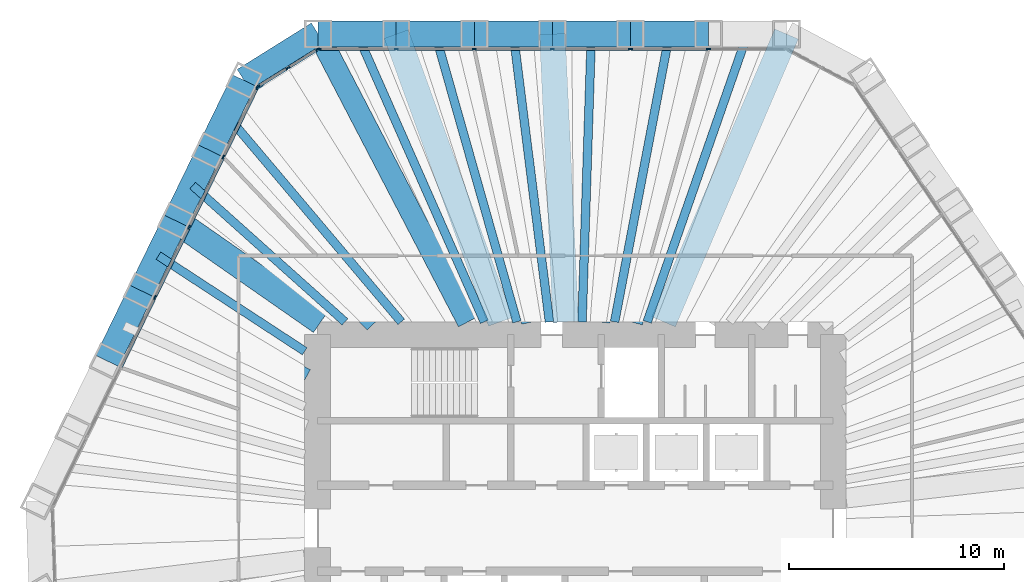
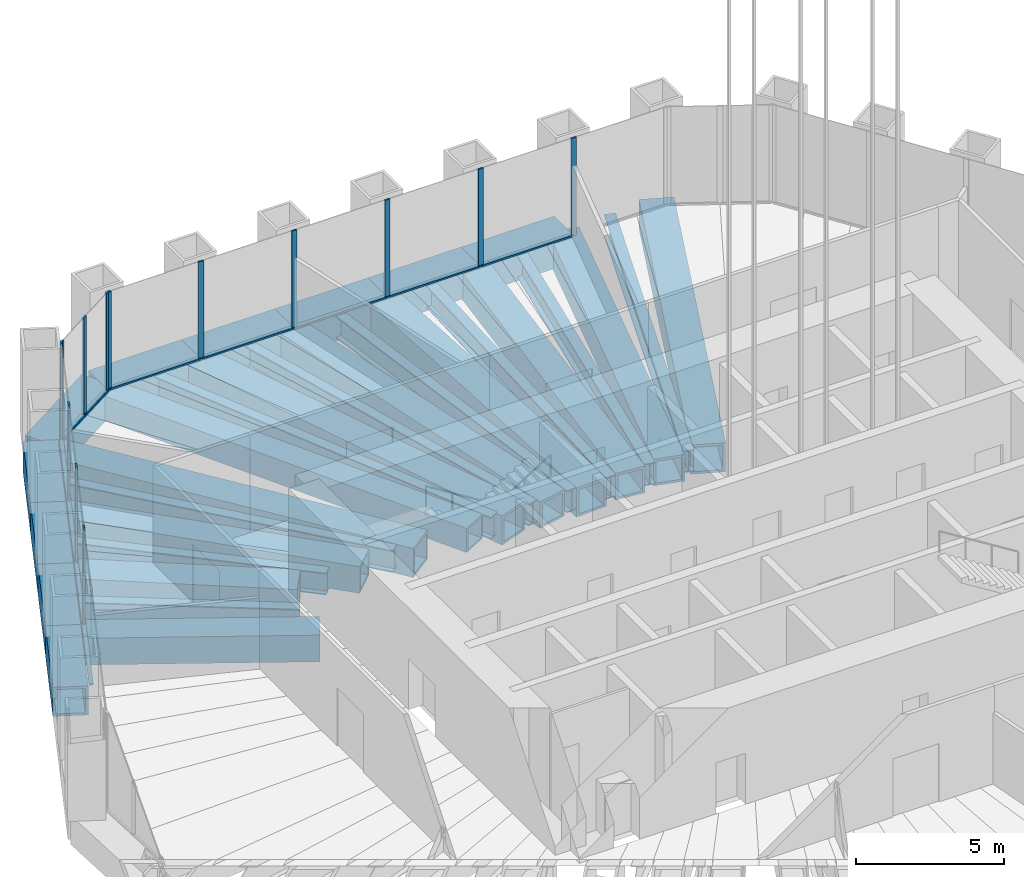
# One storey, part 6 of 20: 34 members, 20 beams, 3 elements without a shape of their own.
"""IFC4 building model written with IfcOpenShell, lengths in metres."""

from ifc_helpers import new_model, si_unit, direction, frame, origin, origin_2d, place, context, subcontext, project, spatial, rectangle, hollow_rectangle, i_section, extrude, material, material_profile, profile_set, type_object, element, aggregate, save


model = new_model("IFC4")

# Units and contexts
model_context = context("Model", 3, precision=1e-05, world=origin(), true_north=direction((0.0, 1.0)))
body_context = subcontext(model_context, "Body", "Model", "MODEL_VIEW")
ifc_project = project(units=[si_unit("LENGTHUNIT", "METRE"), si_unit("AREAUNIT", "SQUARE_METRE"), si_unit("VOLUMEUNIT", "CUBIC_METRE"), si_unit("PLANEANGLEUNIT", "RADIAN"), si_unit("MASSUNIT", "GRAM", prefix="KILO")], contexts=[model_context])

# Site, building, storey
site_placement = place(None, origin())
site = spatial("IfcSite", under=ifc_project, at=site_placement, CompositionType="ELEMENT")
building_placement = place(site_placement, origin())
building = spatial("IfcBuilding", under=site, at=building_placement, Name="Qingtian Harvest Tower", CompositionType="ELEMENT")
storey_placement = place(building_placement, frame((0.0, 0.0, 180.39990234375)))
storey = spatial("IfcBuildingStorey", under=building, at=storey_placement, Name="L38", CompositionType="ELEMENT", Elevation=180.39990234375)

# Members
ifc_material_1 = material(Name="Steel SM570MC", Category="steel")
ifc_material_profile_1 = material_profile(ifc_material_1, hollow_rectangle(XDim=1.199951171875, YDim=1.199951171875, WallThickness=0.10009765625, at=origin_2d()), Name="BOX1200x1200x100")
ifc_profile_set_1 = profile_set([ifc_material_profile_1], Name="Steel SM570MC")
member_type_1 = type_object("IfcMemberType", Name="Belt truss chord BC2 BOX1200x1200x100", PredefinedType="CHORD", material=ifc_profile_set_1)
for number, where, z_axis, x_axis, name in (
    (1, (-11.971923828125, 23.0, -0.599853515625), (1.0, 0.0, 0.0), (0.0, 1.0, 0.0), "Belt chord BC2 N0"),
    (2, (-8.33837890625, 23.0, -0.599853515625), (1.0, 0.0, 0.0), (0.0, 1.0, 0.0), "Belt chord BC2 N1"),
    (3, (-4.704833984375, 23.0, -0.599853515625), (1.0, 0.0, 0.0), (0.0, 1.0, 0.0), "Belt chord BC2 N2"),
    (4, (-1.0712890625, 23.0, -0.599853515625), (1.0, 0.0, 0.0), (0.0, 1.0, 0.0), "Belt chord BC2 N3"),
    (5, (2.562255859375, 23.0, -0.599853515625), (1.0, 0.0, 0.0), (0.0, 1.0, 0.0), "Belt chord BC2 N4"),
    (6, (-21.79541015625, 7.779541015625, -0.599853515625), (0.438349498419, 0.898804604592, 0.0), (-0.898804604592, 0.438349498419, 0.0), "Belt chord BC2 NW2"),
    (7, (-20.20263671875, 11.04541015625, -0.599853515625), (0.438349498419, 0.898804604592, 0.0), (-0.898804604592, 0.438349498419, 0.0), "Belt chord BC2 NW3"),
):
    element("IfcMember", number, at=place(storey_placement, frame(where, z_axis=z_axis, x_axis=x_axis)), inside=storey, type_object=member_type_1, Name=name, PredefinedType="CHORD", context=body_context, shape_type="SweptSolid", body=[
        extrude(hollow_rectangle(XDim=1.199951171875, YDim=1.199951171875, WallThickness=0.10009765625, at=origin_2d()), origin(), (0.0, 0.0, 1.0), 3.633544921875),
    ])
member_1_placement = place(storey_placement, frame((-18.60986328125, 14.311279296875, -0.599853515625), z_axis=(0.438403775684, 0.898778131391, 0.0), x_axis=(-0.898778131391, 0.438403775684, 0.0)))
element("IfcMember", 8, at=member_1_placement, inside=storey, type_object=member_type_1, Name="Belt chord BC2 NW4", PredefinedType="CHORD", context=body_context, shape_type="SweptSolid", body=[
    extrude(hollow_rectangle(XDim=1.199951171875, YDim=1.199951171875, WallThickness=0.10009765625, at=origin_2d()), origin(), (0.0, 0.0, 1.0), 3.6337890625),
])
member_2_placement = place(storey_placement, frame((-17.016845703125, 17.5771484375, -0.599853515625), z_axis=(0.43837597217, 0.898791692788, 0.0), x_axis=(-0.898791692788, 0.43837597217, 0.0)))
element("IfcMember", 9, at=member_2_placement, inside=storey, type_object=member_type_1, Name="Belt chord BC2 NW5", PredefinedType="CHORD", context=body_context, shape_type="SweptSolid", body=[
    extrude(hollow_rectangle(XDim=1.199951171875, YDim=1.199951171875, WallThickness=0.10009765625, at=origin_2d()), origin(), (0.0, 0.0, 1.0), 3.63330078125),
])
member_3_placement = place(storey_placement, frame((-15.424072265625, 20.8427734375, -0.599853515625), z_axis=(0.848038733752, 0.529934246919, 0.0), x_axis=(-0.529934246919, 0.848038733752, 0.0)))
element("IfcMember", 10, at=member_3_placement, inside=storey, type_object=member_type_1, Name="Belt chord BC2 NWC", PredefinedType="CHORD", context=body_context, shape_type="SweptSolid", body=[
    extrude(hollow_rectangle(XDim=1.199951171875, YDim=1.199951171875, WallThickness=0.10009765625, at=origin_2d()), origin(), (0.0, 0.0, 1.0), 4.07080078125),
])

# Beams
ifc_material_2 = material(Name="Steel SN490B", Category="steel")
ifc_material_profile_2 = material_profile(ifc_material_2, i_section(OverallWidth=0.39990234375, OverallDepth=0.89990234375, WebThickness=0.01904296875, FlangeThickness=0.035888671875, at=origin_2d()), Name="H900x400x19x36")
ifc_profile_set_2 = profile_set([ifc_material_profile_2], Name="Steel SN490B")
beam_type_1 = type_object("IfcBeamType", Name="Floor joist J4 H900x400x19x36", PredefinedType="JOIST", material=ifc_profile_set_2)
beam_1_placement = place(storey_placement, frame((-10.1552734375, 23.0, -0.619873046875), z_axis=(0.40391347792, -0.914797191925, 0.0), x_axis=(0.914797191925, 0.40391347792, 0.0)))
element("IfcBeam", 11, at=beam_1_placement, inside=storey, type_object=beam_type_1, Name="Floor joist J4 N0", PredefinedType="JOIST", context=body_context, shape_type="SweptSolid", body=[
    extrude(i_section(OverallWidth=0.39990234375, OverallDepth=0.89990234375, WebThickness=0.01904296875, FlangeThickness=0.035888671875, at=origin_2d()), origin(), (0.0, 0.0, 1.0), 14.64794921875),
])
beam_2_placement = place(storey_placement, frame((-6.521728515625, 23.0, -0.619873046875), z_axis=(0.272796737564, -0.962071691702, 0.0), x_axis=(0.962071691702, 0.272796737564, 0.0)))
element("IfcBeam", 12, at=beam_2_placement, inside=storey, type_object=beam_type_1, Name="Floor joist J4 N1", PredefinedType="JOIST", context=body_context, shape_type="SweptSolid", body=[
    extrude(i_section(OverallWidth=0.39990234375, OverallDepth=0.89990234375, WebThickness=0.01904296875, FlangeThickness=0.035888671875, at=origin_2d()), origin(), (0.0, 0.0, 1.0), 13.92822265625),
])
beam_3_placement = place(storey_placement, frame((-2.88818359375, 23.0, -0.619873046875), z_axis=(0.124590949529, -0.992208191508, 0.0), x_axis=(0.992208191508, 0.124590949529, 0.0)))
element("IfcBeam", 13, at=beam_3_placement, inside=storey, type_object=beam_type_1, Name="Floor joist J4 N2", PredefinedType="JOIST", context=body_context, shape_type="SweptSolid", body=[
    extrude(i_section(OverallWidth=0.39990234375, OverallDepth=0.89990234375, WebThickness=0.01904296875, FlangeThickness=0.035888671875, at=origin_2d()), origin(), (0.0, 0.0, 1.0), 13.505126953125),
])
beam_4_placement = place(storey_placement, frame((0.745361328125, 23.0, -0.619873046875), z_axis=(-0.032395624487, -0.99947512401, 0.0), x_axis=(0.99947512401, -0.032395624487, 0.0)))
element("IfcBeam", 14, at=beam_4_placement, inside=storey, type_object=beam_type_1, Name="Floor joist J4 N3", PredefinedType="JOIST", context=body_context, shape_type="SweptSolid", body=[
    extrude(i_section(OverallWidth=0.39990234375, OverallDepth=0.89990234375, WebThickness=0.01904296875, FlangeThickness=0.035888671875, at=origin_2d()), origin(), (0.0, 0.0, 1.0), 13.406982421875),
])
beam_5_placement = place(storey_placement, frame((4.37890625, 23.0, -0.619873046875), z_axis=(-0.187034797062, -0.982353289142, 0.0), x_axis=(0.982353289142, -0.187034797062, 0.0)))
element("IfcBeam", 15, at=beam_5_placement, inside=storey, type_object=beam_type_1, Name="Floor joist J4 N4", PredefinedType="JOIST", context=body_context, shape_type="SweptSolid", body=[
    extrude(i_section(OverallWidth=0.39990234375, OverallDepth=0.89990234375, WebThickness=0.01904296875, FlangeThickness=0.035888671875, at=origin_2d()), origin(), (0.0, 0.0, 1.0), 13.640625),
])
beam_6_placement = place(storey_placement, frame((8.012451171875, 23.0, -0.619873046875), z_axis=(-0.328969033283, -0.944340709247, 0.0), x_axis=(0.944340709247, -0.328969033283, 0.0)))
element("IfcBeam", 16, at=beam_6_placement, inside=storey, type_object=beam_type_1, Name="Floor joist J4 N5", PredefinedType="JOIST", context=body_context, shape_type="SweptSolid", body=[
    extrude(i_section(OverallWidth=0.39990234375, OverallDepth=0.89990234375, WebThickness=0.01904296875, FlangeThickness=0.035888671875, at=origin_2d()), origin(), (0.0, 0.0, 1.0), 14.189697265625),
])
beam_7_placement = place(storey_placement, frame((-19.40625, 12.678466796875, -0.619873046875), z_axis=(0.837161066611, -0.546956441182, 0.0), x_axis=(0.546956441182, 0.837161066611, 0.0)))
element("IfcBeam", 17, at=beam_7_placement, inside=storey, type_object=beam_type_1, Name="Floor joist J4 NW3", PredefinedType="JOIST", context=body_context, shape_type="SweptSolid", body=[
    extrude(i_section(OverallWidth=0.39990234375, OverallDepth=0.89990234375, WebThickness=0.01904296875, FlangeThickness=0.035888671875, at=origin_2d()), origin(), (0.0, 0.0, 1.0), 8.130126953125),
])
beam_8_placement = place(storey_placement, frame((-17.813232421875, 15.944091796875, -0.619873046875), z_axis=(0.745126517589, -0.66692313859, 0.0), x_axis=(0.66692313859, 0.745126517589, 0.0)))
element("IfcBeam", 18, at=beam_8_placement, inside=storey, type_object=beam_type_1, Name="Floor joist J4 NW4", PredefinedType="JOIST", context=body_context, shape_type="SweptSolid", body=[
    extrude(i_section(OverallWidth=0.39990234375, OverallDepth=0.89990234375, WebThickness=0.01904296875, FlangeThickness=0.035888671875, at=origin_2d()), origin(), (0.0, 0.0, 1.0), 9.512451171875),
])
beam_9_placement = place(storey_placement, frame((-16.220458984375, 19.2099609375, -0.619873046875), z_axis=(0.645157903911, -0.764049264787, 0.0), x_axis=(0.764049264787, 0.645157903911, 0.0)))
element("IfcBeam", 19, at=beam_9_placement, inside=storey, type_object=beam_type_1, Name="Floor joist J4 NW5", PredefinedType="JOIST", context=body_context, shape_type="SweptSolid", body=[
    extrude(i_section(OverallWidth=0.39990234375, OverallDepth=0.89990234375, WebThickness=0.01904296875, FlangeThickness=0.035888671875, at=origin_2d()), origin(), (0.0, 0.0, 1.0), 12.57763671875),
])

# Curtain wall, members
ifc_material_3 = material(Name="Bronze-anodised aluminium curtain wall", Category="aluminium")
curtain_wall_type = type_object("IfcCurtainWallType", Name="Curtain wall CW3 sky lobby", PredefinedType="USERDEFINED", material=ifc_material_3)
curtain_wall_1_placement = place(storey_placement, origin())
curtain_wall_1 = element("IfcCurtainWall", 20, at=curtain_wall_1_placement, inside=storey, type_object=curtain_wall_type, Name="Curtain wall CW3 L38 N0-5", ObjectType="RECESSED CURTAIN WALL", PredefinedType="USERDEFINED")
ifc_material_4 = material(Name="Bronze-anodised aluminium mullion", Category="aluminium")
ifc_material_profile_3 = material_profile(ifc_material_4, rectangle(XDim=0.06494140625, YDim=0.199951171875, at=origin_2d()), Name="AL 65x200")
ifc_profile_set_3 = profile_set([ifc_material_profile_3], Name="Bronze-anodised aluminium mullion")
member_type_2 = type_object("IfcMemberType", Name="Mullion CWM 65x200", PredefinedType="MULLION", material=ifc_profile_set_3)
member_4_placement = place(storey_placement, frame((-11.939453125, 22.300048828125, 0.0), z_axis=(0.0, 0.0, 1.0), x_axis=(0.0, 1.0, 0.0)))
member_4 = element("IfcMember", 21, at=member_4_placement, type_object=member_type_2, Name="CW3 mullion 1", PredefinedType="MULLION", context=body_context, shape_type="SweptSolid", body=[
    extrude(rectangle(XDim=0.06494140625, YDim=0.199951171875, at=origin_2d()), origin(), (0.0, 0.0, 1.0), 4.030029296875),
])
member_5_placement = place(storey_placement, frame((-8.33837890625, 22.300048828125, 0.0), z_axis=(0.0, 0.0, 1.0), x_axis=(0.0, 1.0, 0.0)))
member_5 = element("IfcMember", 22, at=member_5_placement, type_object=member_type_2, Name="CW3 mullion 2", PredefinedType="MULLION", context=body_context, shape_type="SweptSolid", body=[
    extrude(rectangle(XDim=0.06494140625, YDim=0.199951171875, at=origin_2d()), origin(), (0.0, 0.0, 1.0), 4.030029296875),
])
member_6_placement = place(storey_placement, frame((-4.704833984375, 22.300048828125, 0.0), z_axis=(0.0, 0.0, 1.0), x_axis=(0.0, 1.0, 0.0)))
member_6 = element("IfcMember", 23, at=member_6_placement, type_object=member_type_2, Name="CW3 mullion 3", PredefinedType="MULLION", context=body_context, shape_type="SweptSolid", body=[
    extrude(rectangle(XDim=0.06494140625, YDim=0.199951171875, at=origin_2d()), origin(), (0.0, 0.0, 1.0), 4.030029296875),
])
member_7_placement = place(storey_placement, frame((-1.0712890625, 22.300048828125, 0.0), z_axis=(0.0, 0.0, 1.0), x_axis=(0.0, 1.0, 0.0)))
member_7 = element("IfcMember", 24, at=member_7_placement, type_object=member_type_2, Name="CW3 mullion 4", PredefinedType="MULLION", context=body_context, shape_type="SweptSolid", body=[
    extrude(rectangle(XDim=0.06494140625, YDim=0.199951171875, at=origin_2d()), origin(), (0.0, 0.0, 1.0), 4.030029296875),
])
member_8_placement = place(storey_placement, frame((2.562255859375, 22.300048828125, 0.0), z_axis=(0.0, 0.0, 1.0), x_axis=(0.0, 1.0, 0.0)))
member_8 = element("IfcMember", 25, at=member_8_placement, type_object=member_type_2, Name="CW3 mullion 5", PredefinedType="MULLION", context=body_context, shape_type="SweptSolid", body=[
    extrude(rectangle(XDim=0.06494140625, YDim=0.199951171875, at=origin_2d()), origin(), (0.0, 0.0, 1.0), 4.030029296875),
])
member_9_placement = place(storey_placement, frame((6.19580078125, 22.300048828125, 0.0), z_axis=(0.0, 0.0, 1.0), x_axis=(0.0, 1.0, 0.0)))
member_9 = element("IfcMember", 26, at=member_9_placement, type_object=member_type_2, Name="CW3 mullion 6", PredefinedType="MULLION", context=body_context, shape_type="SweptSolid", body=[
    extrude(rectangle(XDim=0.06494140625, YDim=0.199951171875, at=origin_2d()), origin(), (0.0, 0.0, 1.0), 4.030029296875),
])

curtain_wall_2_placement = place(storey_placement, origin())
curtain_wall_2 = element("IfcCurtainWall", 27, at=curtain_wall_2_placement, inside=storey, type_object=curtain_wall_type, Name="Curtain wall CW3 L38 NW0-5", ObjectType="RECESSED CURTAIN WALL", PredefinedType="USERDEFINED")
member_10_placement = place(storey_placement, frame((-19.573486328125, 10.738525390625, 0.0), z_axis=(0.0, 0.0, 1.0), x_axis=(-0.898794046299, 0.438371146789, 0.0)))
member_10 = element("IfcMember", 28, at=member_10_placement, type_object=member_type_2, Name="CW3 mullion 4", PredefinedType="MULLION", context=body_context, shape_type="SweptSolid", body=[
    extrude(rectangle(XDim=0.06494140625, YDim=0.199951171875, at=origin_2d()), origin(), (0.0, 0.0, 1.0), 4.030029296875),
])
member_11_placement = place(storey_placement, frame((-17.980712890625, 14.00439453125, 0.0), z_axis=(0.0, 0.0, 1.0), x_axis=(-0.898794046299, 0.438371146789, 0.0)))
member_11 = element("IfcMember", 29, at=member_11_placement, type_object=member_type_2, Name="CW3 mullion 5", PredefinedType="MULLION", context=body_context, shape_type="SweptSolid", body=[
    extrude(rectangle(XDim=0.06494140625, YDim=0.199951171875, at=origin_2d()), origin(), (0.0, 0.0, 1.0), 4.030029296875),
])
member_12_placement = place(storey_placement, frame((-16.3876953125, 17.270263671875, 0.0), z_axis=(0.0, 0.0, 1.0), x_axis=(-0.898794046299, 0.438371146789, 0.0)))
member_12 = element("IfcMember", 30, at=member_12_placement, type_object=member_type_2, Name="CW3 mullion 6", PredefinedType="MULLION", context=body_context, shape_type="SweptSolid", body=[
    extrude(rectangle(XDim=0.06494140625, YDim=0.199951171875, at=origin_2d()), origin(), (0.0, 0.0, 1.0), 4.030029296875),
])
member_13_placement = place(storey_placement, frame((-14.80908203125, 20.5068359375, 0.0), z_axis=(0.0, 0.0, 1.0), x_axis=(-0.898794046299, 0.438371146789, 0.0)))
member_13 = element("IfcMember", 31, at=member_13_placement, type_object=member_type_2, Name="CW3 mullion 7", PredefinedType="MULLION", context=body_context, shape_type="SweptSolid", body=[
    extrude(rectangle(XDim=0.06494140625, YDim=0.199951171875, at=origin_2d()), origin(), (0.0, 0.0, 1.0), 4.030029296875),
])

curtain_wall_3_placement = place(storey_placement, origin())
curtain_wall_3 = element("IfcCurtainWall", 32, at=curtain_wall_3_placement, inside=storey, type_object=curtain_wall_type, Name="Curtain wall CW3 L38 NWC", ObjectType="RECESSED CURTAIN WALL", PredefinedType="USERDEFINED")
member_14_placement = place(storey_placement, frame((-14.767333984375, 20.55322265625, 0.0), z_axis=(0.0, 0.0, 1.0), x_axis=(-0.529919264233, 0.848048096156, 0.0)))
member_14 = element("IfcMember", 33, at=member_14_placement, type_object=member_type_2, Name="CW3 mullion 1", PredefinedType="MULLION", context=body_context, shape_type="SweptSolid", body=[
    extrude(rectangle(XDim=0.06494140625, YDim=0.199951171875, at=origin_2d()), origin(), (0.0, 0.0, 1.0), 4.030029296875),
])
member_15_placement = place(storey_placement, frame((-13.383544921875, 21.41796875, 0.0), z_axis=(0.0, 0.0, 1.0), x_axis=(-0.529919264233, 0.848048096156, 0.0)))
member_15 = element("IfcMember", 34, at=member_15_placement, type_object=member_type_2, Name="CW3 mullion 2", PredefinedType="MULLION", context=body_context, shape_type="SweptSolid", body=[
    extrude(rectangle(XDim=0.06494140625, YDim=0.199951171875, at=origin_2d()), origin(), (0.0, 0.0, 1.0), 4.030029296875),
])
member_16_placement = place(storey_placement, frame((-11.99951171875, 22.28271484375, 0.0), z_axis=(0.0, 0.0, 1.0), x_axis=(-0.529919264233, 0.848048096156, 0.0)))
member_16 = element("IfcMember", 35, at=member_16_placement, type_object=member_type_2, Name="CW3 mullion 3", PredefinedType="MULLION", context=body_context, shape_type="SweptSolid", body=[
    extrude(rectangle(XDim=0.06494140625, YDim=0.199951171875, at=origin_2d()), origin(), (0.0, 0.0, 1.0), 4.030029296875),
])

# Beams
ifc_material_5 = material(Name="Steel SM570MC", Category="steel")
ifc_material_profile_4 = material_profile(ifc_material_5, hollow_rectangle(XDim=1.199951171875, YDim=1.199951171875, WallThickness=0.10009765625, at=origin_2d()), Name="BOX1200x1200x100")
ifc_profile_set_4 = profile_set([ifc_material_profile_4], Name="Steel SM570MC")
beam_type_2 = type_object("IfcBeamType", Name="Outrigger chord beam OC2 BOX1200x1200x100", PredefinedType="BEAM", material=ifc_profile_set_4)
beam_10_placement = place(storey_placement, frame((-8.33837890625, 23.0, -0.77001953125), z_axis=(0.340826952705, -0.94012604916, 0.0), x_axis=(0.94012604916, 0.340826952705, 0.0)))
element("IfcBeam", 36, at=beam_10_placement, inside=storey, type_object=beam_type_2, Name="Floor beam OC2 N1", PredefinedType="BEAM", context=body_context, shape_type="SweptSolid", body=[
    extrude(hollow_rectangle(XDim=1.199951171875, YDim=1.199951171875, WallThickness=0.10009765625, at=origin_2d()), origin(), (0.0, 0.0, 1.0), 14.25341796875),
])
beam_11_placement = place(storey_placement, frame((-1.0712890625, 23.0, -0.77001953125), z_axis=(0.04651883736, -0.998917412888, 0.0), x_axis=(0.998917412888, 0.04651883736, 0.0)))
element("IfcBeam", 37, at=beam_11_placement, inside=storey, type_object=beam_type_2, Name="Floor beam OC2 N3", PredefinedType="BEAM", context=body_context, shape_type="SweptSolid", body=[
    extrude(hollow_rectangle(XDim=1.199951171875, YDim=1.199951171875, WallThickness=0.10009765625, at=origin_2d()), origin(), (0.0, 0.0, 1.0), 13.414306640625),
])
beam_12_placement = place(storey_placement, frame((9.829345703125, 23.0, -0.77001953125), z_axis=(-0.392976835482, -0.91954837109, 0.0), x_axis=(0.91954837109, -0.392976835482, 0.0)))
element("IfcBeam", 38, at=beam_12_placement, inside=storey, type_object=beam_type_2, Name="Floor beam OC2 N6", PredefinedType="BEAM", context=body_context, shape_type="SweptSolid", body=[
    extrude(hollow_rectangle(XDim=1.199951171875, YDim=1.199951171875, WallThickness=0.10009765625, at=origin_2d()), origin(), (0.0, 0.0, 1.0), 14.572265625),
])
beam_13_placement = place(storey_placement, frame((-18.60986328125, 14.311279296875, -0.77001953125), z_axis=(0.820407854234, -0.571778762032, 0.0), x_axis=(0.571778762032, 0.820407854234, 0.0)))
element("IfcBeam", 39, at=beam_13_placement, inside=storey, type_object=beam_type_2, Name="Floor beam OC2 NW4", PredefinedType="BEAM", context=body_context, shape_type="SweptSolid", body=[
    extrude(hollow_rectangle(XDim=1.199951171875, YDim=1.199951171875, WallThickness=0.10009765625, at=origin_2d()), origin(), (0.0, 0.0, 1.0), 8.239501953125),
])
beam_14_placement = place(storey_placement, frame((-15.424072265625, 20.8427734375, -0.77001953125), z_axis=(0.594854284538, -0.803833552526, 0.0), x_axis=(0.803833552526, 0.594854284538, 0.0)))
element("IfcBeam", 40, at=beam_14_placement, inside=storey, type_object=beam_type_2, Name="Floor beam OC2 NW6", PredefinedType="BEAM", context=body_context, shape_type="SweptSolid", body=[
    extrude(hollow_rectangle(XDim=1.199951171875, YDim=1.199951171875, WallThickness=0.10009765625, at=origin_2d()), origin(), (0.0, 0.0, 1.0), 13.986328125),
])
ifc_material_6 = material(Name="Steel SM570MC", Category="steel")
ifc_material_profile_5 = material_profile(ifc_material_6, hollow_rectangle(XDim=1.0, YDim=1.0, WallThickness=0.080078125, at=origin_2d()), Name="BOX1000x1000x80")
ifc_profile_set_5 = profile_set([ifc_material_profile_5], Name="Steel SM570MC")
beam_type_3 = type_object("IfcBeamType", Name="Transfer corner beam FB11 BOX1000x1000x80", PredefinedType="BEAM", material=ifc_profile_set_5)
beam_15_placement = place(storey_placement, frame((-11.971923828125, 23.0, -0.669921875), z_axis=(0.461712460868, -0.887029651973, 0.0), x_axis=(0.887029651973, 0.461712460868, 0.0)))
element("IfcBeam", 41, at=beam_15_placement, inside=storey, type_object=beam_type_3, Name="Floor beam FB11 N0", PredefinedType="BEAM", context=body_context, shape_type="SweptSolid", body=[
    extrude(hollow_rectangle(XDim=1.0, YDim=1.0, WallThickness=0.080078125, at=origin_2d()), origin(), (0.0, 0.0, 1.0), 15.1064453125),
])
ifc_material_7 = material(Name="Steel SM570MC", Category="steel")
ifc_material_profile_6 = material_profile(ifc_material_7, hollow_rectangle(XDim=1.10009765625, YDim=1.10009765625, WallThickness=0.10009765625, at=origin_2d()), Name="BOX1100x1100x100")
ifc_profile_set_6 = profile_set([ifc_material_profile_6], Name="Steel SM570MC")
beam_type_4 = type_object("IfcBeamType", Name="Transfer floor beam FB9 BOX1100x1100x100", PredefinedType="BEAM", material=ifc_profile_set_6)
beam_16_placement = place(storey_placement, frame((-4.704833984375, 23.0, -0.719970703125), z_axis=(0.200401687601, -0.979713817197, 0.0), x_axis=(0.979713817197, 0.200401687601, 0.0)))
element("IfcBeam", 42, at=beam_16_placement, inside=storey, type_object=beam_type_4, Name="Floor beam FB9 N2", PredefinedType="BEAM", context=body_context, shape_type="SweptSolid", body=[
    extrude(hollow_rectangle(XDim=1.10009765625, YDim=1.10009765625, WallThickness=0.10009765625, at=origin_2d()), origin(), (0.0, 0.0, 1.0), 13.67724609375),
])
beam_17_placement = place(storey_placement, frame((2.562255859375, 23.0, -0.719970703125), z_axis=(-0.110727645803, -0.993850787822, 0.0), x_axis=(0.993850787822, -0.110727645803, 0.0)))
element("IfcBeam", 43, at=beam_17_placement, inside=storey, type_object=beam_type_4, Name="Floor beam FB9 N4", PredefinedType="BEAM", context=body_context, shape_type="SweptSolid", body=[
    extrude(hollow_rectangle(XDim=1.10009765625, YDim=1.10009765625, WallThickness=0.10009765625, at=origin_2d()), origin(), (0.0, 0.0, 1.0), 13.48291015625),
])
beam_18_placement = place(storey_placement, frame((6.19580078125, 23.0, -0.719970703125), z_axis=(-0.260121100906, -0.965576000563, 0.0), x_axis=(0.965576000563, -0.260121100906, 0.0)))
element("IfcBeam", 44, at=beam_18_placement, inside=storey, type_object=beam_type_4, Name="Floor beam FB9 N5", PredefinedType="BEAM", context=body_context, shape_type="SweptSolid", body=[
    extrude(hollow_rectangle(XDim=1.10009765625, YDim=1.10009765625, WallThickness=0.10009765625, at=origin_2d()), origin(), (0.0, 0.0, 1.0), 13.877685546875),
])
beam_19_placement = place(storey_placement, frame((-20.20263671875, 11.04541015625, -0.719970703125), z_axis=(0.87742673539, -0.479710666988, 0.0), x_axis=(0.479710666988, 0.87742673539, 0.0)))
element("IfcBeam", 45, at=beam_19_placement, inside=storey, type_object=beam_type_4, Name="Floor beam FB9 NW3", PredefinedType="BEAM", context=body_context, shape_type="SweptSolid", body=[
    extrude(hollow_rectangle(XDim=1.10009765625, YDim=1.10009765625, WallThickness=0.10009765625, at=origin_2d()), origin(), (0.0, 0.0, 1.0), 8.66455078125),
])
beam_20_placement = place(storey_placement, frame((-17.016845703125, 17.5771484375, -0.719970703125), z_axis=(0.695569024353, -0.718459276759, 0.0), x_axis=(0.718459276759, 0.695569024353, 0.0)))
element("IfcBeam", 46, at=beam_20_placement, inside=storey, type_object=beam_type_4, Name="Floor beam FB9 NW5", PredefinedType="BEAM", context=body_context, shape_type="SweptSolid", body=[
    extrude(hollow_rectangle(XDim=1.10009765625, YDim=1.10009765625, WallThickness=0.10009765625, at=origin_2d()), origin(), (0.0, 0.0, 1.0), 11.10302734375),
])

# Member
ifc_material_8 = material(Name="Bronze-anodised aluminium transom", Category="aluminium")
ifc_material_profile_7 = material_profile(ifc_material_8, rectangle(XDim=0.14990234375, YDim=0.06494140625, at=origin_2d()), Name="AL 65x150")
ifc_profile_set_7 = profile_set([ifc_material_profile_7], Name="Bronze-anodised aluminium transom")
member_type_3 = type_object("IfcMemberType", Name="Transom CWT 65x150", PredefinedType="USERDEFINED", material=ifc_profile_set_7)
member_17_placement = place(storey_placement, frame((-11.906982421875, 22.300048828125, 0.03271484375), z_axis=(1.0, 0.0, 0.0), x_axis=(0.0, 1.0, 0.0)))
member_17 = element("IfcMember", 47, at=member_17_placement, type_object=member_type_3, Name="CW3 transom 1.1", ObjectType="TRANSOM", PredefinedType="USERDEFINED", context=body_context, shape_type="SweptSolid", body=[
    extrude(rectangle(XDim=0.14990234375, YDim=0.06494140625, at=origin_2d()), origin(), (0.0, 0.0, 1.0), 3.5361328125),
])

member_18_placement = place(storey_placement, frame((-8.305908203125, 22.300048828125, 0.03271484375), z_axis=(1.0, 0.0, 0.0), x_axis=(0.0, 1.0, 0.0)))
member_18 = element("IfcMember", 48, at=member_18_placement, type_object=member_type_3, Name="CW3 transom 2.1", ObjectType="TRANSOM", PredefinedType="USERDEFINED", context=body_context, shape_type="SweptSolid", body=[
    extrude(rectangle(XDim=0.14990234375, YDim=0.06494140625, at=origin_2d()), origin(), (0.0, 0.0, 1.0), 3.568603515625),
])

member_19_placement = place(storey_placement, frame((-4.67236328125, 22.300048828125, 0.03271484375), z_axis=(1.0, 0.0, 0.0), x_axis=(0.0, 1.0, 0.0)))
member_19 = element("IfcMember", 49, at=member_19_placement, type_object=member_type_3, Name="CW3 transom 3.1", ObjectType="TRANSOM", PredefinedType="USERDEFINED", context=body_context, shape_type="SweptSolid", body=[
    extrude(rectangle(XDim=0.14990234375, YDim=0.06494140625, at=origin_2d()), origin(), (0.0, 0.0, 1.0), 3.568603515625),
])

member_20_placement = place(storey_placement, frame((-1.038818359375, 22.300048828125, 0.03271484375), z_axis=(1.0, 0.0, 0.0), x_axis=(0.0, 1.0, 0.0)))
member_20 = element("IfcMember", 50, at=member_20_placement, type_object=member_type_3, Name="CW3 transom 4.1", ObjectType="TRANSOM", PredefinedType="USERDEFINED", context=body_context, shape_type="SweptSolid", body=[
    extrude(rectangle(XDim=0.14990234375, YDim=0.06494140625, at=origin_2d()), origin(), (0.0, 0.0, 1.0), 3.568603515625),
])

member_21_placement = place(storey_placement, frame((2.5947265625, 22.300048828125, 0.03271484375), z_axis=(1.0, 0.0, 0.0), x_axis=(0.0, 1.0, 0.0)))
member_21 = element("IfcMember", 51, at=member_21_placement, type_object=member_type_3, Name="CW3 transom 5.1", ObjectType="TRANSOM", PredefinedType="USERDEFINED", context=body_context, shape_type="SweptSolid", body=[
    extrude(rectangle(XDim=0.14990234375, YDim=0.06494140625, at=origin_2d()), origin(), (0.0, 0.0, 1.0), 3.568603515625),
])

aggregate(curtain_wall_1, [member_4, member_5, member_6, member_7, member_8, member_9, member_17, member_18, member_19, member_20, member_21])

member_22_placement = place(storey_placement, frame((-21.152099609375, 7.501953125, 0.03271484375), z_axis=(0.438380500422, 0.898789484167, 0.0), x_axis=(-0.898789484167, 0.438380500422, 0.0)))
member_22 = element("IfcMember", 52, at=member_22_placement, type_object=member_type_3, Name="CW3 transom 3.1", ObjectType="TRANSOM", PredefinedType="USERDEFINED", context=body_context, shape_type="SweptSolid", body=[
    extrude(rectangle(XDim=0.14990234375, YDim=0.06494140625, at=origin_2d()), origin(), (0.0, 0.0, 1.0), 3.568603515625),
])

member_23_placement = place(storey_placement, frame((-19.559326171875, 10.767822265625, 0.03271484375), z_axis=(0.438407456795, 0.898776335818, 0.0), x_axis=(-0.898776335818, 0.438407456795, 0.0)))
member_23 = element("IfcMember", 53, at=member_23_placement, type_object=member_type_3, Name="CW3 transom 4.1", ObjectType="TRANSOM", PredefinedType="USERDEFINED", context=body_context, shape_type="SweptSolid", body=[
    extrude(rectangle(XDim=0.14990234375, YDim=0.06494140625, at=origin_2d()), origin(), (0.0, 0.0, 1.0), 3.568603515625),
])

member_24_placement = place(storey_placement, frame((-17.96630859375, 14.03369140625, 0.03271484375), z_axis=(0.438352188226, 0.898803292761, 0.0), x_axis=(-0.898803292761, 0.438352188226, 0.0)))
member_24 = element("IfcMember", 54, at=member_24_placement, type_object=member_type_3, Name="CW3 transom 5.1", ObjectType="TRANSOM", PredefinedType="USERDEFINED", context=body_context, shape_type="SweptSolid", body=[
    extrude(rectangle(XDim=0.14990234375, YDim=0.06494140625, at=origin_2d()), origin(), (0.0, 0.0, 1.0), 3.568359375),
])

member_25_placement = place(storey_placement, frame((-16.37353515625, 17.29931640625, 0.03271484375), z_axis=(0.438354255898, 0.898802284341, 0.0), x_axis=(-0.898802284341, 0.438354255898, 0.0)))
member_25 = element("IfcMember", 55, at=member_25_placement, type_object=member_type_3, Name="CW3 transom 6.1", ObjectType="TRANSOM", PredefinedType="USERDEFINED", context=body_context, shape_type="SweptSolid", body=[
    extrude(rectangle(XDim=0.14990234375, YDim=0.06494140625, at=origin_2d()), origin(), (0.0, 0.0, 1.0), 3.5361328125),
])

aggregate(curtain_wall_2, [member_10, member_11, member_12, member_13, member_22, member_23, member_24, member_25])

member_26_placement = place(storey_placement, frame((-14.73974609375, 20.570556640625, 0.03271484375), z_axis=(0.848015812303, 0.529970925697, 0.0), x_axis=(-0.529970925697, 0.848015812303, 0.0)))
member_26 = element("IfcMember", 56, at=member_26_placement, type_object=member_type_3, Name="CW3 transom 1.1", ObjectType="TRANSOM", PredefinedType="USERDEFINED", context=body_context, shape_type="SweptSolid", body=[
    extrude(rectangle(XDim=0.14990234375, YDim=0.06494140625, at=origin_2d()), origin(), (0.0, 0.0, 1.0), 1.566650390625),
])

member_27_placement = place(storey_placement, frame((-13.35595703125, 21.435302734375, 0.03271484375), z_axis=(0.848059570903, 0.529900900357, 0.0), x_axis=(-0.529900900357, 0.848059570903, 0.0)))
member_27 = element("IfcMember", 57, at=member_27_placement, type_object=member_type_3, Name="CW3 transom 2.1", ObjectType="TRANSOM", PredefinedType="USERDEFINED", context=body_context, shape_type="SweptSolid", body=[
    extrude(rectangle(XDim=0.14990234375, YDim=0.06494140625, at=origin_2d()), origin(), (0.0, 0.0, 1.0), 1.56689453125),
])

aggregate(curtain_wall_3, [member_14, member_15, member_16, member_26, member_27])

save(model, "model.ifc")
